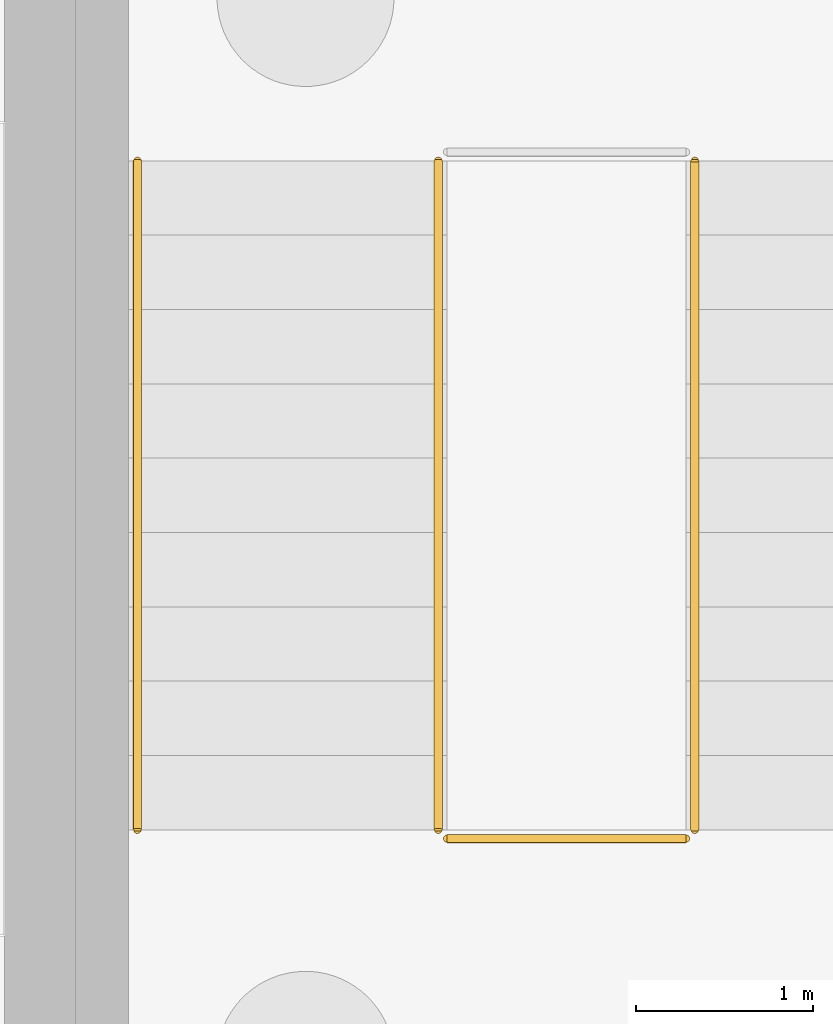
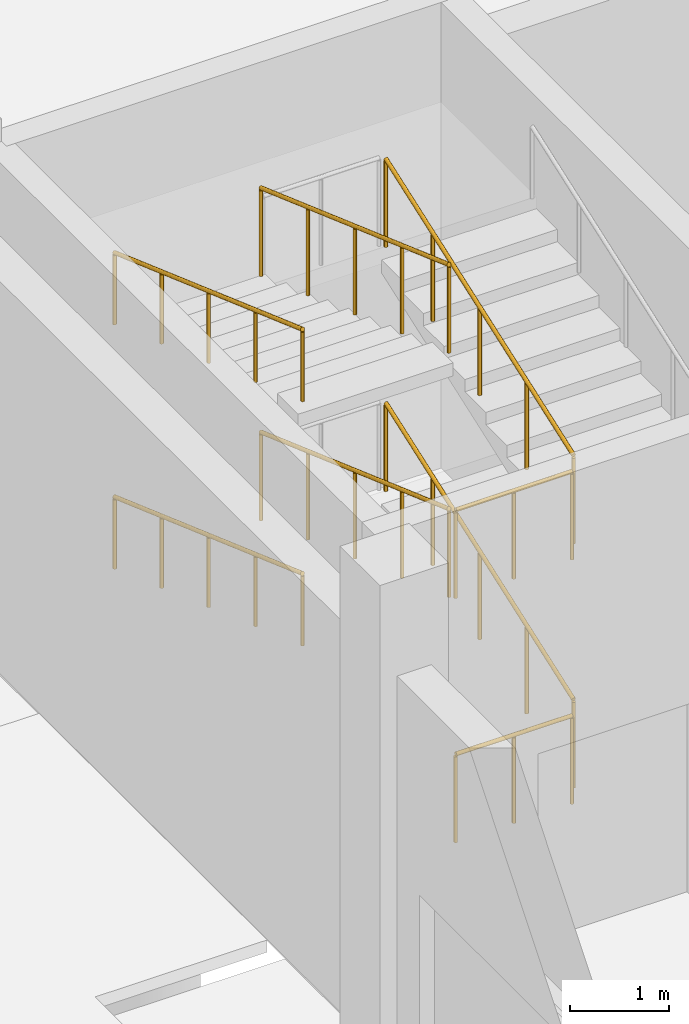
# One storey, part 143 of 198: 8 railings.
"""IFC4 building model written with IfcOpenShell, lengths in metres."""

from ifc_helpers import new_model, si_unit, direction, frame, origin, origin_2d, place, context, subcontext, project, spatial, circle, extrude, material, constituent, constituent_set, type_object, element, save


model = new_model("IFC4")

# Units and contexts
model_context = context("Model", 3, precision=1e-05, world=origin(), true_north=direction((0.0, 1.0)))
body_context = subcontext(model_context, "Body", "Model", "MODEL_VIEW")
ifc_project = project(units=[si_unit("LENGTHUNIT", "METRE"), si_unit("AREAUNIT", "SQUARE_METRE"), si_unit("VOLUMEUNIT", "CUBIC_METRE"), si_unit("PLANEANGLEUNIT", "RADIAN"), si_unit("MASSUNIT", "GRAM", prefix="KILO")], contexts=[model_context])

# Site, building, storey
site_placement = place(None, origin())
site = spatial("IfcSite", under=ifc_project, at=site_placement, CompositionType="ELEMENT")
building_placement = place(site_placement, origin())
building = spatial("IfcBuilding", under=site, at=building_placement, Name="Opaline Strait Convention Centre", CompositionType="ELEMENT")
storey_placement = place(building_placement, origin())
storey = spatial("IfcBuildingStorey", under=building, at=storey_placement, Name="L00", CompositionType="ELEMENT", Elevation=0.0)

# Railings
ifc_material_1 = material(Name="Steel Q235B", Category="steel")
ifc_constituent_1 = constituent(ifc_material_1, Name="Frame")
ifc_material_2 = material(Name="Safety glass, bonded interlayer", Category="glass")
ifc_constituent_2 = constituent(ifc_material_2, Name="Infill")
ifc_constituent_set = constituent_set(constituents=[ifc_constituent_1, ifc_constituent_2], Name="Steel Q235B, Safety glass, bonded interlayer")
railing_type_1 = type_object("IfcRailingType", Name="Stair guard 1100 Q235B and glass", PredefinedType="GUARDRAIL", material=ifc_constituent_set)
railing_1_placement = place(storey_placement, frame((12.699951171875, 92.800048828125, 0.14990234375)))
element("IfcRailing", 1, at=railing_1_placement, inside=storey, type_object=railing_type_1, Name="L00 NWA stair guard 1", PredefinedType="GUARDRAIL", context=body_context, shape_type="SweptSolid", body=[
    extrude(circle(Radius=0.02392578125, at=origin_2d()), frame((0.0, 0.0, 1.076171875), z_axis=(0.0, 0.941735030876, 0.336355662388), x_axis=(-1.0, 0.0, 0.0)), (0.0, 0.0, 1.0), 4.013916015625),
    extrude(circle(Radius=0.02099609375, at=origin_2d()), origin(), (0.0, 0.0, 1.0), 1.052001953125),
    extrude(circle(Radius=0.02099609375, at=origin_2d()), frame((0.0, 0.945068359375, 0.33740234375)), (0.0, 0.0, 1.0), 1.052001953125),
    extrude(circle(Radius=0.02099609375, at=origin_2d()), frame((0.0, 1.89013671875, 0.675048828125)), (0.0, 0.0, 1.0), 1.052001953125),
    extrude(circle(Radius=0.02099609375, at=origin_2d()), frame((0.0, 2.8349609375, 1.0126953125)), (0.0, 0.0, 1.0), 1.052001953125),
    extrude(circle(Radius=0.02099609375, at=origin_2d()), frame((0.0, 3.780029296875, 1.35009765625)), (0.0, 0.0, 1.0), 1.052001953125),
])
railing_2_placement = place(storey_placement, frame((11.25, 96.580078125, 1.64990234375)))
element("IfcRailing", 2, at=railing_2_placement, inside=storey, type_object=railing_type_1, Name="L00 NWA stair guard 3", PredefinedType="GUARDRAIL", context=body_context, shape_type="SweptSolid", body=[
    extrude(circle(Radius=0.02392578125, at=origin_2d()), frame((0.0, 0.0, 1.076171875), z_axis=(0.0, -0.941735030876, 0.336355662388), x_axis=(1.0, 0.0, 0.0)), (0.0, 0.0, 1.0), 4.013916015625),
    extrude(circle(Radius=0.02099609375, at=origin_2d()), origin(), (0.0, 0.0, 1.0), 1.052001953125),
    extrude(circle(Radius=0.02099609375, at=origin_2d()), frame((0.0, -0.945068359375, 0.33740234375)), (0.0, 0.0, 1.0), 1.052001953125),
    extrude(circle(Radius=0.02099609375, at=origin_2d()), frame((0.0, -1.89013671875, 0.675048828125)), (0.0, 0.0, 1.0), 1.052001953125),
    extrude(circle(Radius=0.02099609375, at=origin_2d()), frame((0.0, -2.8349609375, 1.0126953125)), (0.0, 0.0, 1.0), 1.052001953125),
    extrude(circle(Radius=0.02099609375, at=origin_2d()), frame((0.0, -3.780029296875, 1.35009765625)), (0.0, 0.0, 1.0), 1.052001953125),
])
railing_3_placement = place(storey_placement, frame((12.64990234375, 92.75, 3.0)))
element("IfcRailing", 3, at=railing_3_placement, inside=storey, type_object=railing_type_1, Name="L00 NWA stair guard 4", PredefinedType="GUARDRAIL", context=body_context, shape_type="SweptSolid", body=[
    extrude(circle(Radius=0.02392578125, at=origin_2d()), frame((0.0, 0.0, 1.076171875), z_axis=(-1.0, 0.0, 0.0), x_axis=(0.0, -1.0, 0.0)), (0.0, 0.0, 1.0), 1.349853515625),
    extrude(circle(Radius=0.02099609375, at=origin_2d()), origin(), (0.0, 0.0, 1.0), 1.052001953125),
    extrude(circle(Radius=0.02099609375, at=origin_2d()), frame((-0.6748046875, 0.0, 0.0)), (0.0, 0.0, 1.0), 1.052001953125),
    extrude(circle(Radius=0.02099609375, at=origin_2d()), frame((-1.349853515625, 0.0, 0.0)), (0.0, 0.0, 1.0), 1.052001953125),
])
railing_4_placement = place(storey_placement, frame((12.699951171875, 92.800048828125, 3.14990234375)))
element("IfcRailing", 4, at=railing_4_placement, inside=storey, type_object=railing_type_1, Name="L00 NWA stair guard 5", PredefinedType="GUARDRAIL", context=body_context, shape_type="SweptSolid", body=[
    extrude(circle(Radius=0.02392578125, at=origin_2d()), frame((0.0, 0.0, 1.076171875), z_axis=(0.0, 0.941735030876, 0.336355662388), x_axis=(-1.0, 0.0, 0.0)), (0.0, 0.0, 1.0), 4.013916015625),
    extrude(circle(Radius=0.02099609375, at=origin_2d()), origin(), (0.0, 0.0, 1.0), 1.052001953125),
    extrude(circle(Radius=0.02099609375, at=origin_2d()), frame((0.0, 0.945068359375, 0.33740234375)), (0.0, 0.0, 1.0), 1.052001953125),
    extrude(circle(Radius=0.02099609375, at=origin_2d()), frame((0.0, 1.89013671875, 0.675048828125)), (0.0, 0.0, 1.0), 1.052001953125),
    extrude(circle(Radius=0.02099609375, at=origin_2d()), frame((0.0, 2.8349609375, 1.0126953125)), (0.0, 0.0, 1.0), 1.052001953125),
    extrude(circle(Radius=0.02099609375, at=origin_2d()), frame((0.0, 3.780029296875, 1.35009765625)), (0.0, 0.0, 1.0), 1.052001953125),
])
railing_5_placement = place(storey_placement, frame((11.25, 96.580078125, 4.64990234375)))
element("IfcRailing", 5, at=railing_5_placement, inside=storey, type_object=railing_type_1, Name="L00 NWA stair guard 7", PredefinedType="GUARDRAIL", context=body_context, shape_type="SweptSolid", body=[
    extrude(circle(Radius=0.02392578125, at=origin_2d()), frame((0.0, 0.0, 1.076171875), z_axis=(0.0, -0.941735030876, 0.336355662388), x_axis=(1.0, 0.0, 0.0)), (0.0, 0.0, 1.0), 4.013916015625),
    extrude(circle(Radius=0.02099609375, at=origin_2d()), origin(), (0.0, 0.0, 1.0), 1.052001953125),
    extrude(circle(Radius=0.02099609375, at=origin_2d()), frame((0.0, -0.945068359375, 0.33740234375)), (0.0, 0.0, 1.0), 1.052001953125),
    extrude(circle(Radius=0.02099609375, at=origin_2d()), frame((0.0, -1.89013671875, 0.675048828125)), (0.0, 0.0, 1.0), 1.052001953125),
    extrude(circle(Radius=0.02099609375, at=origin_2d()), frame((0.0, -2.8349609375, 1.0126953125)), (0.0, 0.0, 1.0), 1.052001953125),
    extrude(circle(Radius=0.02099609375, at=origin_2d()), frame((0.0, -3.780029296875, 1.35009765625)), (0.0, 0.0, 1.0), 1.052001953125),
])
railing_6_placement = place(storey_placement, frame((12.64990234375, 92.75, 0.0)))
element("IfcRailing", 6, at=railing_6_placement, inside=storey, type_object=railing_type_1, Name="L00 NWA stair guard 8", PredefinedType="GUARDRAIL", context=body_context, shape_type="SweptSolid", body=[
    extrude(circle(Radius=0.02392578125, at=origin_2d()), frame((0.0, 0.0, 1.076171875), z_axis=(-1.0, 0.0, 0.0), x_axis=(0.0, -1.0, 0.0)), (0.0, 0.0, 1.0), 1.349853515625),
    extrude(circle(Radius=0.02099609375, at=origin_2d()), origin(), (0.0, 0.0, 1.0), 1.052001953125),
    extrude(circle(Radius=0.02099609375, at=origin_2d()), frame((-0.6748046875, 0.0, 0.0)), (0.0, 0.0, 1.0), 1.052001953125),
    extrude(circle(Radius=0.02099609375, at=origin_2d()), frame((-1.349853515625, 0.0, 0.0)), (0.0, 0.0, 1.0), 1.052001953125),
])
ifc_material_3 = material(Name="Stainless steel 304", Category="steel")
railing_type_2 = type_object("IfcRailingType", Name="Stair handrail 900 stainless 304", PredefinedType="HANDRAIL", material=ifc_material_3)
for number, where, name in (
    (7, (9.550048828125, 96.580078125, 1.64990234375), "L00 NWA stair handrail 2"),
    (8, (9.550048828125, 96.580078125, 4.64990234375), "L00 NWA stair handrail 4"),
):
    element("IfcRailing", number, at=place(storey_placement, frame(where)), inside=storey, type_object=railing_type_2, Name=name, PredefinedType="HANDRAIL", context=body_context, shape_type="SweptSolid", body=[
        extrude(circle(Radius=0.02392578125, at=origin_2d()), frame((0.0, 0.0, 0.8759765625), z_axis=(0.0, -0.941735030876, 0.336355662388), x_axis=(1.0, 0.0, 0.0)), (0.0, 0.0, 1.0), 4.013916015625),
        extrude(circle(Radius=0.02099609375, at=origin_2d()), origin(), (0.0, 0.0, 1.0), 0.851806640625),
        extrude(circle(Radius=0.02099609375, at=origin_2d()), frame((0.0, -0.945068359375, 0.33740234375)), (0.0, 0.0, 1.0), 0.851806640625),
        extrude(circle(Radius=0.02099609375, at=origin_2d()), frame((0.0, -1.89013671875, 0.675048828125)), (0.0, 0.0, 1.0), 0.851806640625),
        extrude(circle(Radius=0.02099609375, at=origin_2d()), frame((0.0, -2.8349609375, 1.0126953125)), (0.0, 0.0, 1.0), 0.851806640625),
        extrude(circle(Radius=0.02099609375, at=origin_2d()), frame((0.0, -3.780029296875, 1.35009765625)), (0.0, 0.0, 1.0), 0.851806640625),
    ])

save(model, "model.ifc")
